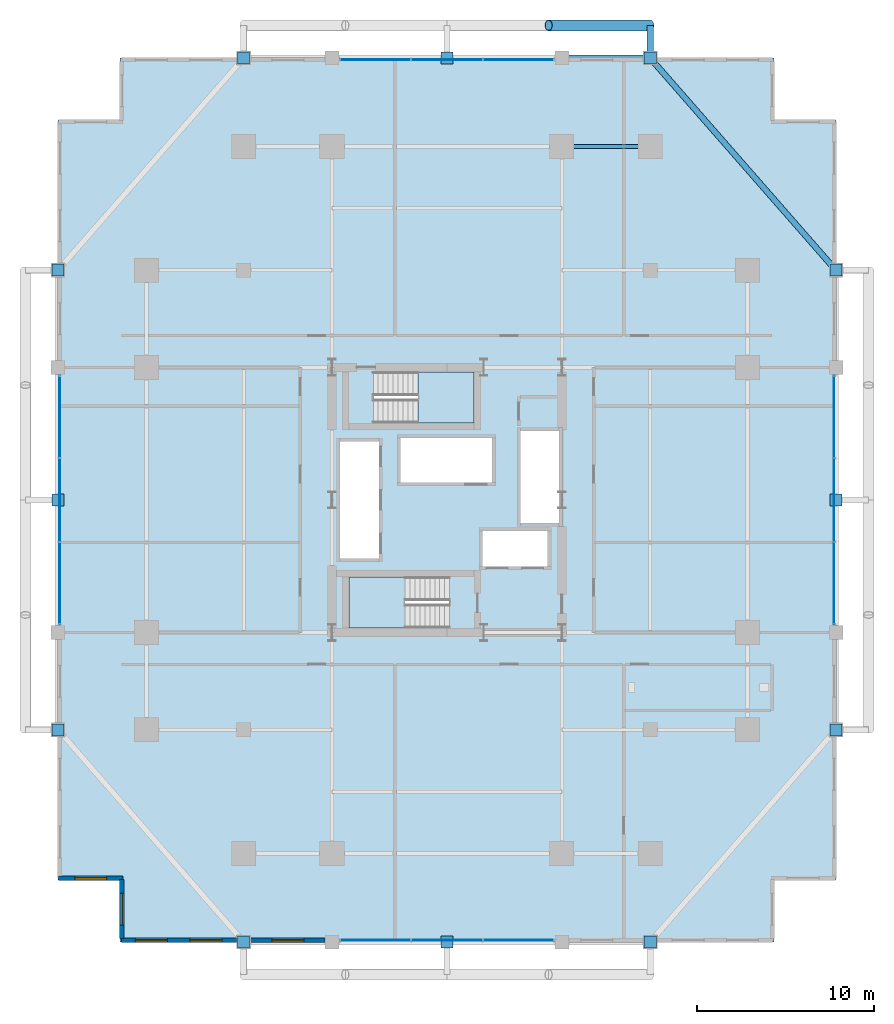
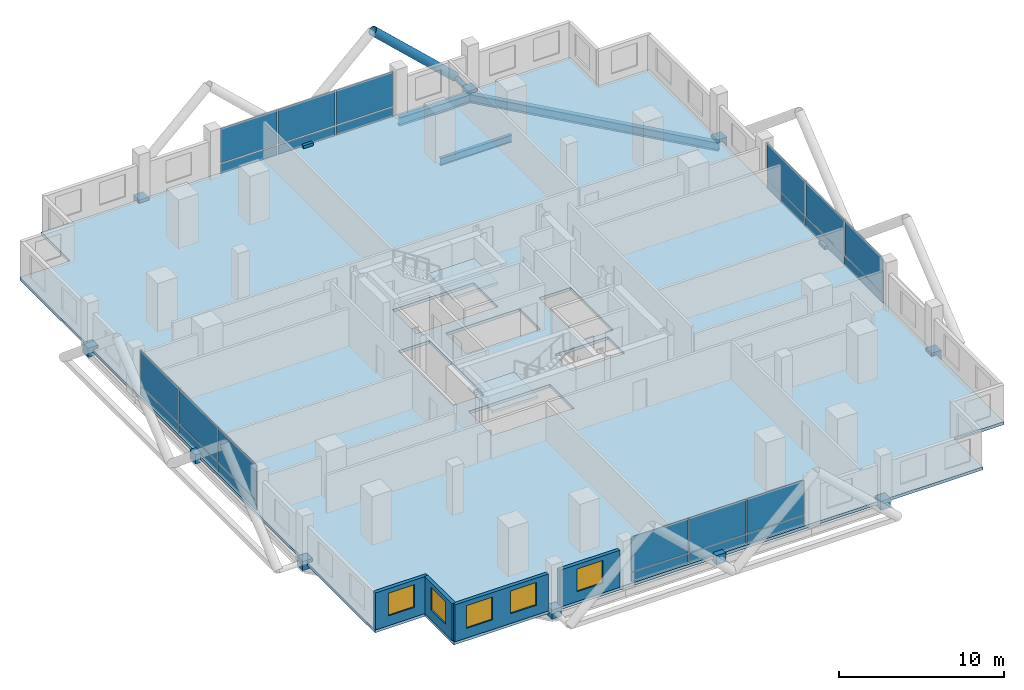
# One storey, part 20 of 26: 36 plates, 5 windows, 4 walls, 3 beams, 3 slabs, 2 members, 5 openings, 6 elements without a shape of their own.
"""IFC4 building model written with IfcOpenShell, lengths in metres."""

from ifc_helpers import new_model, si_unit, direction, frame, frame_2d, origin, origin_2d, place, context, subcontext, project, spatial, polyline, rectangle, hollow_circle, i_section, outline, extrude, material, layer, layer_set, material_profile, profile_set, type_object, element, fill, aggregate, save


model = new_model("IFC4")

# Units and contexts
model_context = context("Model", 3, precision=1e-05, world=origin(), true_north=direction((0.0, 1.0)))
body_context = subcontext(model_context, "Body", "Model", "MODEL_VIEW")
ifc_project = project(units=[si_unit("LENGTHUNIT", "METRE"), si_unit("AREAUNIT", "SQUARE_METRE"), si_unit("VOLUMEUNIT", "CUBIC_METRE"), si_unit("PLANEANGLEUNIT", "RADIAN"), si_unit("MASSUNIT", "GRAM", prefix="KILO")], contexts=[model_context])

# Site, building, storey
site_placement = place(None, origin())
site = spatial("IfcSite", under=ifc_project, at=site_placement, CompositionType="ELEMENT")
building_placement = place(site_placement, origin())
building = spatial("IfcBuilding", under=site, at=building_placement, Name="Barlavira Tower and Art Museum", CompositionType="ELEMENT")
storey_placement = place(building_placement, frame((0.0, 0.0, 82.800048828125)))
storey = spatial("IfcBuildingStorey", under=building, at=storey_placement, Name="L20", CompositionType="ELEMENT", Elevation=82.800048828125)

# Members
ifc_material_1 = material(Name="Steel S355", Category="steel")
ifc_material_profile_1 = material_profile(ifc_material_1, hollow_circle(Radius=0.304931640625, WallThickness=0.028076171875, at=origin_2d()), Name="CHS 610.0x28.0")
ifc_profile_set_1 = profile_set([ifc_material_profile_1], Name="Steel S355")
member_type_1 = type_object("IfcMemberType", Name="Pale-Metal Exoskeleton Diagrid Tube CHS 610x28 Steel S355", PredefinedType="BRACE", material=ifc_profile_set_1)
member_1_placement = place(storey_placement, frame((11.5, 26.85009765625, -0.1201171875), z_axis=(-0.728934650808, 0.0, 0.684583285548), x_axis=(0.0, -1.0, 0.0)))
element("IfcMember", 1, at=member_1_placement, inside=storey, type_object=member_type_1, Name="L20 Exoskeleton Diagrid Tube N", PredefinedType="BRACE", context=body_context, shape_type="SweptSolid", body=[
    extrude(hollow_circle(Radius=0.304931640625, WallThickness=0.028076171875, at=origin_2d()), origin(), (0.0, 0.0, 1.0), 7.88818359375),
])
ifc_material_profile_2 = material_profile(ifc_material_1, hollow_circle(Radius=0.177734375, WallThickness=0.01611328125, at=origin_2d()), Name="CHS 355.6x16.0")
ifc_profile_set_2 = profile_set([ifc_material_profile_2], Name="Steel S355")
member_type_2 = type_object("IfcMemberType", Name="Pale-Metal Exoskeleton Tie Strut CHS 356x16 Steel S355", PredefinedType="STRUT", material=ifc_profile_set_2)
member_2_placement = place(storey_placement, frame((11.5, 26.85009765625, -0.1201171875), z_axis=(0.0, -1.0, 0.0), x_axis=(1.0, 0.0, 0.0)))
element("IfcMember", 2, at=member_2_placement, inside=storey, type_object=member_type_2, Name="L20 Exoskeleton Tie Strut N3", PredefinedType="STRUT", context=body_context, shape_type="SweptSolid", body=[
    extrude(hollow_circle(Radius=0.177734375, WallThickness=0.01611328125, at=origin_2d()), origin(), (0.0, 0.0, 1.0), 1.85009765625),
])

# Beams
ifc_material_profile_3 = material_profile(ifc_material_1, i_section(OverallWidth=0.327880859375, OverallDepth=0.62890625, WebThickness=0.013916015625, FlangeThickness=0.021484375, at=origin_2d()), Name="W610x174.0")
ifc_profile_set_3 = profile_set([ifc_material_profile_3], Name="Steel S355")
beam_type_1 = type_object("IfcBeamType", Name="Perimeter Spandrel Edge Beam W610x174 Steel S355", PredefinedType="SPANDREL", material=ifc_profile_set_3)
beam_1_placement = place(storey_placement, frame((22.0, 13.0, -0.53466796875), z_axis=(-0.658504607869, 0.752576694707, 0.0), x_axis=(-0.752576694707, -0.658504607869, 0.0)))
element("IfcBeam", 3, at=beam_1_placement, inside=storey, type_object=beam_type_1, Name="L20 Spandrel 8", PredefinedType="SPANDREL", context=body_context, shape_type="SweptSolid", body=[
    extrude(i_section(OverallWidth=0.327880859375, OverallDepth=0.62890625, WebThickness=0.013916015625, FlangeThickness=0.021484375, at=origin_2d()), origin(), (0.0, 0.0, 1.0), 15.9453125),
])
beam_2_placement = place(storey_placement, frame((6.5, 25.0, -0.53466796875), z_axis=(1.0, 0.0, 0.0), x_axis=(0.0, 1.0, 0.0)))
element("IfcBeam", 4, at=beam_2_placement, inside=storey, type_object=beam_type_1, Name="L20 Spandrel 9", PredefinedType="SPANDREL", context=body_context, shape_type="SweptSolid", body=[
    extrude(i_section(OverallWidth=0.327880859375, OverallDepth=0.62890625, WebThickness=0.013916015625, FlangeThickness=0.021484375, at=origin_2d()), origin(), (0.0, 0.0, 1.0), 5.0),
])
ifc_material_profile_4 = material_profile(ifc_material_1, i_section(OverallWidth=0.214111328125, OverallDepth=0.549072265625, WebThickness=0.0146484375, FlangeThickness=0.023681640625, at=origin_2d()), Name="W530x138.0")
ifc_profile_set_4 = profile_set([ifc_material_profile_4], Name="Steel S355")
beam_type_2 = type_object("IfcBeamType", Name="Zone 1 Primary Floor Girder W530x138 Steel S355", PredefinedType="BEAM", material=ifc_profile_set_4)
beam_3_placement = place(storey_placement, frame((6.5, 20.0, -0.49462890625), z_axis=(1.0, 0.0, 0.0), x_axis=(0.0, 1.0, 0.0)))
element("IfcBeam", 5, at=beam_3_placement, inside=storey, type_object=beam_type_2, Name="L20 Girder M-N3", PredefinedType="BEAM", context=body_context, shape_type="SweptSolid", body=[
    extrude(i_section(OverallWidth=0.214111328125, OverallDepth=0.549072265625, WebThickness=0.0146484375, FlangeThickness=0.023681640625, at=origin_2d()), origin(), (0.0, 0.0, 1.0), 5.0),
])

# Curtain wall, plates
ifc_material_2 = material(Name="Low-iron coastal laminated glass", Category="glass")
ifc_layer_1 = layer(ifc_material_2, 0.179931640625, Name="Low-iron coastal laminated glass")
ifc_layer_set_1 = layer_set([ifc_layer_1], Name="Low-iron coastal laminated glass")
curtain_wall_type = type_object("IfcCurtainWallType", Name="Pale-Metal Unitised Curtain Wall Zone 1", PredefinedType="NOTDEFINED", material=ifc_layer_set_1)
curtain_wall_1_placement = place(storey_placement, origin())
curtain_wall_1 = element("IfcCurtainWall", 6, at=curtain_wall_1_placement, inside=storey, type_object=curtain_wall_type, Name="L20 Curtain Wall CW1-L20-S-B3", PredefinedType="NOTDEFINED")
ifc_material_3 = material(Name="Pale anodised aluminium", Category="aluminium")
ifc_layer_2 = layer(ifc_material_3, 0.044921875, Name="Pale anodised aluminium")
ifc_layer_set_2 = layer_set([ifc_layer_2], Name="Pale anodised aluminium")
plate_type_1 = type_object("IfcPlateType", Name="Curtain Wall Pale-Metal Spandrel Panel 45", PredefinedType="CURTAIN_PANEL", material=ifc_layer_set_2)
plate_1_placement = place(storey_placement, frame((-4.05322265625, -24.89990234375, 0.0400390625), z_axis=(0.0, 0.0, 1.0), x_axis=(1.0, 0.0, 0.0)))
plate_1 = element("IfcPlate", 7, at=plate_1_placement, type_object=plate_type_1, Name="CW1-L20-S-B3 Spandrel Panel 0", PredefinedType="CURTAIN_PANEL", context=body_context, shape_type="SweptSolid", body=[
    extrude(rectangle(XDim=3.953369140625, YDim=0.044921875, at=origin_2d()), origin(), (0.0, 0.0, 1.0), 0.6640625),
])
plate_2_placement = place(storey_placement, frame((0.0, -24.89990234375, 0.0400390625), z_axis=(0.0, 0.0, 1.0), x_axis=(1.0, 0.0, 0.0)))
plate_2 = element("IfcPlate", 8, at=plate_2_placement, type_object=plate_type_1, Name="CW1-L20-S-B3 Spandrel Panel 1", PredefinedType="CURTAIN_PANEL", context=body_context, shape_type="SweptSolid", body=[
    extrude(rectangle(XDim=3.953369140625, YDim=0.044921875, at=origin_2d()), origin(), (0.0, 0.0, 1.0), 0.6640625),
])
plate_3_placement = place(storey_placement, frame((4.05322265625, -24.89990234375, 0.0400390625), z_axis=(0.0, 0.0, 1.0), x_axis=(1.0, 0.0, 0.0)))
plate_3 = element("IfcPlate", 9, at=plate_3_placement, type_object=plate_type_1, Name="CW1-L20-S-B3 Spandrel Panel 2", PredefinedType="CURTAIN_PANEL", context=body_context, shape_type="SweptSolid", body=[
    extrude(rectangle(XDim=3.953369140625, YDim=0.044921875, at=origin_2d()), origin(), (0.0, 0.0, 1.0), 0.6640625),
])

curtain_wall_2_placement = place(storey_placement, origin())
curtain_wall_2 = element("IfcCurtainWall", 10, at=curtain_wall_2_placement, inside=storey, type_object=curtain_wall_type, Name="L20 Curtain Wall CW1-L20-N-B3", PredefinedType="NOTDEFINED")
plate_4_placement = place(storey_placement, frame((4.05322265625, 24.89990234375, 0.0400390625), z_axis=(0.0, 0.0, 1.0), x_axis=(-1.0, 0.0, 0.0)))
plate_4 = element("IfcPlate", 11, at=plate_4_placement, type_object=plate_type_1, Name="CW1-L20-N-B3 Spandrel Panel 0", PredefinedType="CURTAIN_PANEL", context=body_context, shape_type="SweptSolid", body=[
    extrude(rectangle(XDim=3.953369140625, YDim=0.044921875, at=origin_2d()), origin(), (0.0, 0.0, 1.0), 0.6640625),
])
plate_5_placement = place(storey_placement, frame((0.0, 24.89990234375, 0.0400390625), z_axis=(0.0, 0.0, 1.0), x_axis=(-1.0, 0.0, 0.0)))
plate_5 = element("IfcPlate", 12, at=plate_5_placement, type_object=plate_type_1, Name="CW1-L20-N-B3 Spandrel Panel 1", PredefinedType="CURTAIN_PANEL", context=body_context, shape_type="SweptSolid", body=[
    extrude(rectangle(XDim=3.953369140625, YDim=0.044921875, at=origin_2d()), origin(), (0.0, 0.0, 1.0), 0.6640625),
])
plate_6_placement = place(storey_placement, frame((-4.05322265625, 24.89990234375, 0.0400390625), z_axis=(0.0, 0.0, 1.0), x_axis=(-1.0, 0.0, 0.0)))
plate_6 = element("IfcPlate", 13, at=plate_6_placement, type_object=plate_type_1, Name="CW1-L20-N-B3 Spandrel Panel 2", PredefinedType="CURTAIN_PANEL", context=body_context, shape_type="SweptSolid", body=[
    extrude(rectangle(XDim=3.953369140625, YDim=0.044921875, at=origin_2d()), origin(), (0.0, 0.0, 1.0), 0.6640625),
])

curtain_wall_3_placement = place(storey_placement, origin())
curtain_wall_3 = element("IfcCurtainWall", 14, at=curtain_wall_3_placement, inside=storey, type_object=curtain_wall_type, Name="L20 Curtain Wall CW1-L20-W-B3", PredefinedType="NOTDEFINED")
plate_7_placement = place(storey_placement, frame((-21.89990234375, 4.719970703125, 0.0400390625), z_axis=(0.0, 0.0, 1.0), x_axis=(0.0, -1.0, 0.0)))
plate_7 = element("IfcPlate", 15, at=plate_7_placement, type_object=plate_type_1, Name="CW1-L20-W-B3 Spandrel Panel 0", PredefinedType="CURTAIN_PANEL", context=body_context, shape_type="SweptSolid", body=[
    extrude(rectangle(XDim=4.6201171875, YDim=0.044921875, at=origin_2d()), origin(), (0.0, 0.0, 1.0), 0.6640625),
])
plate_8_placement = place(storey_placement, frame((-21.89990234375, 0.0, 0.0400390625), z_axis=(0.0, 0.0, 1.0), x_axis=(0.0, -1.0, 0.0)))
plate_8 = element("IfcPlate", 16, at=plate_8_placement, type_object=plate_type_1, Name="CW1-L20-W-B3 Spandrel Panel 1", PredefinedType="CURTAIN_PANEL", context=body_context, shape_type="SweptSolid", body=[
    extrude(rectangle(XDim=4.6201171875, YDim=0.044921875, at=origin_2d()), origin(), (0.0, 0.0, 1.0), 0.6640625),
])
plate_9_placement = place(storey_placement, frame((-21.89990234375, -4.719970703125, 0.0400390625), z_axis=(0.0, 0.0, 1.0), x_axis=(0.0, -1.0, 0.0)))
plate_9 = element("IfcPlate", 17, at=plate_9_placement, type_object=plate_type_1, Name="CW1-L20-W-B3 Spandrel Panel 2", PredefinedType="CURTAIN_PANEL", context=body_context, shape_type="SweptSolid", body=[
    extrude(rectangle(XDim=4.6201171875, YDim=0.044921875, at=origin_2d()), origin(), (0.0, 0.0, 1.0), 0.6640625),
])

curtain_wall_4_placement = place(storey_placement, origin())
curtain_wall_4 = element("IfcCurtainWall", 18, at=curtain_wall_4_placement, inside=storey, type_object=curtain_wall_type, Name="L20 Curtain Wall CW1-L20-E-B3", PredefinedType="NOTDEFINED")
plate_10_placement = place(storey_placement, frame((21.89990234375, -4.719970703125, 0.0400390625), z_axis=(0.0, 0.0, 1.0), x_axis=(0.0, 1.0, 0.0)))
plate_10 = element("IfcPlate", 19, at=plate_10_placement, type_object=plate_type_1, Name="CW1-L20-E-B3 Spandrel Panel 0", PredefinedType="CURTAIN_PANEL", context=body_context, shape_type="SweptSolid", body=[
    extrude(rectangle(XDim=4.6201171875, YDim=0.044921875, at=origin_2d()), origin(), (0.0, 0.0, 1.0), 0.6640625),
])
plate_11_placement = place(storey_placement, frame((21.89990234375, 0.0, 0.0400390625), z_axis=(0.0, 0.0, 1.0), x_axis=(0.0, 1.0, 0.0)))
plate_11 = element("IfcPlate", 20, at=plate_11_placement, type_object=plate_type_1, Name="CW1-L20-E-B3 Spandrel Panel 1", PredefinedType="CURTAIN_PANEL", context=body_context, shape_type="SweptSolid", body=[
    extrude(rectangle(XDim=4.6201171875, YDim=0.044921875, at=origin_2d()), origin(), (0.0, 0.0, 1.0), 0.6640625),
])
plate_12_placement = place(storey_placement, frame((21.89990234375, 4.719970703125, 0.0400390625), z_axis=(0.0, 0.0, 1.0), x_axis=(0.0, 1.0, 0.0)))
plate_12 = element("IfcPlate", 21, at=plate_12_placement, type_object=plate_type_1, Name="CW1-L20-E-B3 Spandrel Panel 2", PredefinedType="CURTAIN_PANEL", context=body_context, shape_type="SweptSolid", body=[
    extrude(rectangle(XDim=4.6201171875, YDim=0.044921875, at=origin_2d()), origin(), (0.0, 0.0, 1.0), 0.6640625),
])

# Plate
ifc_layer_3 = layer(ifc_material_2, 0.028076171875, Name="Low-iron coastal laminated glass")
ifc_layer_set_3 = layer_set([ifc_layer_3], Name="Low-iron coastal laminated glass")
plate_type_2 = type_object("IfcPlateType", Name="Curtain Wall Vision Glazing Panel 28", PredefinedType="CURTAIN_PANEL", material=ifc_layer_set_3)
plate_13_placement = place(storey_placement, frame((-4.05322265625, -24.89990234375, 0.7841796875), z_axis=(0.0, 0.0, 1.0), x_axis=(1.0, 0.0, 0.0)))
plate_13 = element("IfcPlate", 22, at=plate_13_placement, type_object=plate_type_2, Name="CW1-L20-S-B3 Vision Glass Panel 0", PredefinedType="CURTAIN_PANEL", context=body_context, shape_type="SweptSolid", body=[
    extrude(rectangle(XDim=3.953369140625, YDim=0.028076171875, at=origin_2d()), origin(), (0.0, 0.0, 1.0), 2.555908203125),
])

plate_14_placement = place(storey_placement, frame((0.0, -24.89990234375, 0.7841796875), z_axis=(0.0, 0.0, 1.0), x_axis=(1.0, 0.0, 0.0)))
plate_14 = element("IfcPlate", 23, at=plate_14_placement, type_object=plate_type_2, Name="CW1-L20-S-B3 Vision Glass Panel 1", PredefinedType="CURTAIN_PANEL", context=body_context, shape_type="SweptSolid", body=[
    extrude(rectangle(XDim=3.953369140625, YDim=0.028076171875, at=origin_2d()), origin(), (0.0, 0.0, 1.0), 2.555908203125),
])

plate_15_placement = place(storey_placement, frame((4.05322265625, -24.89990234375, 0.7841796875), z_axis=(0.0, 0.0, 1.0), x_axis=(1.0, 0.0, 0.0)))
plate_15 = element("IfcPlate", 24, at=plate_15_placement, type_object=plate_type_2, Name="CW1-L20-S-B3 Vision Glass Panel 2", PredefinedType="CURTAIN_PANEL", context=body_context, shape_type="SweptSolid", body=[
    extrude(rectangle(XDim=3.953369140625, YDim=0.028076171875, at=origin_2d()), origin(), (0.0, 0.0, 1.0), 2.555908203125),
])

aggregate(curtain_wall_1, [plate_1, plate_13, plate_2, plate_14, plate_3, plate_15])

plate_16_placement = place(storey_placement, frame((4.05322265625, 24.89990234375, 0.7841796875), z_axis=(0.0, 0.0, 1.0), x_axis=(-1.0, 0.0, 0.0)))
plate_16 = element("IfcPlate", 25, at=plate_16_placement, type_object=plate_type_2, Name="CW1-L20-N-B3 Vision Glass Panel 0", PredefinedType="CURTAIN_PANEL", context=body_context, shape_type="SweptSolid", body=[
    extrude(rectangle(XDim=3.953369140625, YDim=0.028076171875, at=origin_2d()), origin(), (0.0, 0.0, 1.0), 2.555908203125),
])

plate_17_placement = place(storey_placement, frame((0.0, 24.89990234375, 0.7841796875), z_axis=(0.0, 0.0, 1.0), x_axis=(-1.0, 0.0, 0.0)))
plate_17 = element("IfcPlate", 26, at=plate_17_placement, type_object=plate_type_2, Name="CW1-L20-N-B3 Vision Glass Panel 1", PredefinedType="CURTAIN_PANEL", context=body_context, shape_type="SweptSolid", body=[
    extrude(rectangle(XDim=3.953369140625, YDim=0.028076171875, at=origin_2d()), origin(), (0.0, 0.0, 1.0), 2.555908203125),
])

plate_18_placement = place(storey_placement, frame((-4.05322265625, 24.89990234375, 0.7841796875), z_axis=(0.0, 0.0, 1.0), x_axis=(-1.0, 0.0, 0.0)))
plate_18 = element("IfcPlate", 27, at=plate_18_placement, type_object=plate_type_2, Name="CW1-L20-N-B3 Vision Glass Panel 2", PredefinedType="CURTAIN_PANEL", context=body_context, shape_type="SweptSolid", body=[
    extrude(rectangle(XDim=3.953369140625, YDim=0.028076171875, at=origin_2d()), origin(), (0.0, 0.0, 1.0), 2.555908203125),
])

aggregate(curtain_wall_2, [plate_4, plate_16, plate_5, plate_17, plate_6, plate_18])

plate_19_placement = place(storey_placement, frame((-21.89990234375, 4.719970703125, 0.7841796875), z_axis=(0.0, 0.0, 1.0), x_axis=(0.0, -1.0, 0.0)))
plate_19 = element("IfcPlate", 28, at=plate_19_placement, type_object=plate_type_2, Name="CW1-L20-W-B3 Vision Glass Panel 0", PredefinedType="CURTAIN_PANEL", context=body_context, shape_type="SweptSolid", body=[
    extrude(rectangle(XDim=4.6201171875, YDim=0.028076171875, at=origin_2d()), origin(), (0.0, 0.0, 1.0), 2.555908203125),
])

plate_20_placement = place(storey_placement, frame((-21.89990234375, 0.0, 0.7841796875), z_axis=(0.0, 0.0, 1.0), x_axis=(0.0, -1.0, 0.0)))
plate_20 = element("IfcPlate", 29, at=plate_20_placement, type_object=plate_type_2, Name="CW1-L20-W-B3 Vision Glass Panel 1", PredefinedType="CURTAIN_PANEL", context=body_context, shape_type="SweptSolid", body=[
    extrude(rectangle(XDim=4.6201171875, YDim=0.028076171875, at=origin_2d()), origin(), (0.0, 0.0, 1.0), 2.555908203125),
])

plate_21_placement = place(storey_placement, frame((-21.89990234375, -4.719970703125, 0.7841796875), z_axis=(0.0, 0.0, 1.0), x_axis=(0.0, -1.0, 0.0)))
plate_21 = element("IfcPlate", 30, at=plate_21_placement, type_object=plate_type_2, Name="CW1-L20-W-B3 Vision Glass Panel 2", PredefinedType="CURTAIN_PANEL", context=body_context, shape_type="SweptSolid", body=[
    extrude(rectangle(XDim=4.6201171875, YDim=0.028076171875, at=origin_2d()), origin(), (0.0, 0.0, 1.0), 2.555908203125),
])

aggregate(curtain_wall_3, [plate_7, plate_19, plate_8, plate_20, plate_9, plate_21])

plate_22_placement = place(storey_placement, frame((21.89990234375, -4.719970703125, 0.7841796875), z_axis=(0.0, 0.0, 1.0), x_axis=(0.0, 1.0, 0.0)))
plate_22 = element("IfcPlate", 31, at=plate_22_placement, type_object=plate_type_2, Name="CW1-L20-E-B3 Vision Glass Panel 0", PredefinedType="CURTAIN_PANEL", context=body_context, shape_type="SweptSolid", body=[
    extrude(rectangle(XDim=4.6201171875, YDim=0.028076171875, at=origin_2d()), origin(), (0.0, 0.0, 1.0), 2.555908203125),
])

plate_23_placement = place(storey_placement, frame((21.89990234375, 0.0, 0.7841796875), z_axis=(0.0, 0.0, 1.0), x_axis=(0.0, 1.0, 0.0)))
plate_23 = element("IfcPlate", 32, at=plate_23_placement, type_object=plate_type_2, Name="CW1-L20-E-B3 Vision Glass Panel 1", PredefinedType="CURTAIN_PANEL", context=body_context, shape_type="SweptSolid", body=[
    extrude(rectangle(XDim=4.6201171875, YDim=0.028076171875, at=origin_2d()), origin(), (0.0, 0.0, 1.0), 2.555908203125),
])

plate_24_placement = place(storey_placement, frame((21.89990234375, 4.719970703125, 0.7841796875), z_axis=(0.0, 0.0, 1.0), x_axis=(0.0, 1.0, 0.0)))
plate_24 = element("IfcPlate", 33, at=plate_24_placement, type_object=plate_type_2, Name="CW1-L20-E-B3 Vision Glass Panel 2", PredefinedType="CURTAIN_PANEL", context=body_context, shape_type="SweptSolid", body=[
    extrude(rectangle(XDim=4.6201171875, YDim=0.028076171875, at=origin_2d()), origin(), (0.0, 0.0, 1.0), 2.555908203125),
])

aggregate(curtain_wall_4, [plate_10, plate_22, plate_11, plate_23, plate_12, plate_24])

# Plates
ifc_layer_4 = layer(ifc_material_1, 0.679931640625, Name="Steel S355")
ifc_layer_set_4 = layer_set([ifc_layer_4], Name="Steel S355")
plate_type_3 = type_object("IfcPlateType", Name="Exoskeleton Tie-Back Solid Cap Plate Assembly Type 5 Steel S355", PredefinedType="USERDEFINED", material=ifc_layer_set_4)
for number, where, z_axis, x_axis, name in (
    (34, (-11.5, -25.0, -0.4599609375), (0.0, 0.0, 1.0), (1.0, 0.0, 0.0), "Slab Edge Tie Cap Plate S1 ND-L20-0178"),
    (35, (0.0, -25.0, -0.4599609375), (0.0, 0.0, 1.0), (1.0, 0.0, 0.0), "Slab Edge Tie Cap Plate S2 ND-L20-0179"),
    (36, (11.5, -25.0, -0.4599609375), (0.0, 0.0, 1.0), (1.0, 0.0, 0.0), "Slab Edge Tie Cap Plate S3 ND-L20-0180"),
    (37, (-11.5, 25.0, -0.4599609375), (0.0, 0.0, 1.0), (1.0, 0.0, 0.0), "Slab Edge Tie Cap Plate N1 ND-L20-0186"),
    (38, (0.0, 25.0, -0.4599609375), (0.0, 0.0, 1.0), (1.0, 0.0, 0.0), "Slab Edge Tie Cap Plate N2 ND-L20-0187"),
    (39, (11.5, 25.0, -0.4599609375), (0.0, 0.0, 1.0), (1.0, 0.0, 0.0), "Slab Edge Tie Cap Plate N3 ND-L20-0188"),
    (40, (-22.0, -13.0, -0.4599609375), (0.0, 0.0, 1.0), (1.0, 0.0, 0.0), "Slab Edge Tie Cap Plate W1 ND-L20-0194"),
    (41, (-22.0, 0.0, -0.4599609375), (0.0, 0.0, 1.0), (1.0, 0.0, 0.0), "Slab Edge Tie Cap Plate W2 ND-L20-0195"),
    (42, (-22.0, 13.0, -0.4599609375), (0.0, 0.0, 1.0), (1.0, 0.0, 0.0), "Slab Edge Tie Cap Plate W3 ND-L20-0196"),
    (43, (22.0, -13.0, -0.4599609375), (0.0, 0.0, 1.0), (1.0, 0.0, 0.0), "Slab Edge Tie Cap Plate E1 ND-L20-0202"),
    (44, (22.0, 0.0, -0.4599609375), (0.0, 0.0, 1.0), (1.0, 0.0, 0.0), "Slab Edge Tie Cap Plate E2 ND-L20-0203"),
    (45, (22.0, 13.0, -0.4599609375), (0.0, 0.0, 1.0), (1.0, 0.0, 0.0), "Slab Edge Tie Cap Plate E3 ND-L20-0204"),
):
    element("IfcPlate", number, at=place(storey_placement, frame(where, z_axis=z_axis, x_axis=x_axis)), inside=storey, type_object=plate_type_3, Name=name, ObjectType="FLANGE_PLATE", PredefinedType="USERDEFINED", context=body_context, shape_type="SweptSolid", body=[
        extrude(rectangle(XDim=0.679931640625, YDim=0.679931640625, at=origin_2d()), origin(), (0.0, 0.0, 1.0), 0.679931640625),
    ])

# Stair, slab
ifc_material_4 = material(Name="Concrete C45", Category="concrete")
stair_type_1 = type_object("IfcStairType", Name="Tower North Dog-Leg Exit Stair Assembly Concrete C45", PredefinedType="TWO_QUARTER_TURN_STAIR", material=ifc_material_4)
stair_1_placement = place(storey_placement, origin())
stair_1 = element("IfcStair", 46, at=stair_1_placement, inside=storey, type_object=stair_type_1, Name="L20 Tower North Exit Stair ST-T2", PredefinedType="TWO_QUARTER_TURN_STAIR")
ifc_layer_5 = layer(ifc_material_4, 0.199951171875, Name="Concrete C45")
ifc_layer_set_5 = layer_set([ifc_layer_5], Name="Concrete C45")
slab_type_1 = type_object("IfcSlabType", Name="Tower North Dog-Leg Exit Stair Half-Landing Slab 200 Concrete C45", PredefinedType="LANDING", material=ifc_layer_set_5)
slab_1_placement = place(storey_placement, frame((0.0, 0.0, 1.599853515625)))
slab_1 = element("IfcSlab", 47, at=slab_1_placement, type_object=slab_type_1, Name="ST-T2 landing 1", PredefinedType="LANDING", context=body_context, shape_type="SweptSolid", body=[
    extrude(outline(polyline([(-1.64990234375, 4.35009765625), (1.530029296875, 4.35009765625), (1.530029296875, 7.25), (-1.64990234375, 7.25), (-1.64990234375, 4.35009765625)])), origin(), (0.0, 0.0, 1.0), 0.2001953125),
])
aggregate(stair_1, [slab_1])

stair_type_2 = type_object("IfcStairType", Name="Tower South Dog-Leg Exit Stair Assembly Concrete C45", PredefinedType="TWO_QUARTER_TURN_STAIR", material=ifc_material_4)
stair_2_placement = place(storey_placement, origin())
stair_2 = element("IfcStair", 48, at=stair_2_placement, inside=storey, type_object=stair_type_2, Name="L20 Tower South Exit Stair ST-T1", PredefinedType="TWO_QUARTER_TURN_STAIR")
ifc_layer_6 = layer(ifc_material_4, 0.199951171875, Name="Concrete C45")
ifc_layer_set_6 = layer_set([ifc_layer_6], Name="Concrete C45")
slab_type_2 = type_object("IfcSlabType", Name="Tower South Dog-Leg Exit Stair Half-Landing Slab 200 Concrete C45", PredefinedType="LANDING", material=ifc_layer_set_6)
slab_2_placement = place(storey_placement, frame((0.0, 0.0, 1.599853515625)))
slab_2 = element("IfcSlab", 49, at=slab_2_placement, type_object=slab_type_2, Name="ST-T1 landing 1", PredefinedType="LANDING", context=body_context, shape_type="SweptSolid", body=[
    extrude(outline(polyline([(-2.3701171875, -4.35009765625), (-5.550048828125, -4.35009765625), (-5.550048828125, -7.25), (-2.3701171875, -7.25), (-2.3701171875, -4.35009765625)])), origin(), (0.0, 0.0, 1.0), 0.2001953125),
])
aggregate(stair_2, [slab_2])

# Slab
ifc_material_5 = material(Name="Concrete C50", Category="concrete")
ifc_layer_7 = layer(ifc_material_5, 0.219970703125, Name="Concrete C50")
ifc_layer_set_7 = layer_set([ifc_layer_7], Name="Concrete C50")
slab_type_3 = type_object("IfcSlabType", Name="Zone 1 Residential Composite Slab 220 Concrete C50", PredefinedType="FLOOR", material=ifc_layer_set_7)
slab_3_placement = place(storey_placement, frame((0.0, 0.0, -0.219970703125)))
element("IfcSlab", 50, at=slab_3_placement, inside=storey, type_object=slab_type_3, Name="L20 Tower Floor Slab", PredefinedType="FLOOR", context=body_context, shape_type="SweptSolid", body=[
    extrude(outline(polyline([(-18.5, -25.0), (18.5, -25.0), (18.5, -21.5), (22.0, -21.5), (22.0, 21.5), (18.5, 21.5), (18.5, 25.0), (-18.5, 25.0), (-18.5, 21.5), (-22.0, 21.5), (-22.0, -21.5), (-18.5, -21.5), (-18.5, -25.0)]), holes=[polyline([(0.14990234375, -4.35009765625), (-5.550048828125, -4.35009765625), (-5.550048828125, -7.25), (0.14990234375, -7.25), (0.14990234375, -4.35009765625)]), polyline([(-4.169921875, 4.35009765625), (1.530029296875, 4.35009765625), (1.530029296875, 7.25), (-4.169921875, 7.25), (-4.169921875, 4.35009765625)]), polyline([(-6.050048828125, -3.31005859375), (-3.85009765625, -3.31005859375), (-3.85009765625, 3.31005859375), (-6.050048828125, 3.31005859375), (-6.050048828125, -3.31005859375)]), polyline([(4.14990234375, -1.2900390625), (6.35009765625, -1.2900390625), (6.35009765625, 3.889892578125), (4.14990234375, 3.889892578125), (4.14990234375, -1.2900390625)]), polyline([(-2.6201171875, 1.0), (2.56005859375, 1.0), (2.56005859375, 3.5), (-2.6201171875, 3.5), (-2.6201171875, 1.0)]), polyline([(2.0, -3.75), (5.699951171875, -3.75), (5.699951171875, -1.75), (2.0, -1.75), (2.0, -3.75)])]), origin(), (0.0, 0.0, 1.0), 0.219970703125),
])

# Wall, openings, windows
ifc_material_6 = material(Name="Precast concrete C40", Category="concrete")
ifc_layer_8 = layer(ifc_material_6, 0.25, Name="Precast concrete C40")
ifc_layer_set_8 = layer_set([ifc_layer_8], Name="Precast concrete C40")
wall_type = type_object("IfcWallType", Name="Notched Corner Spandrel Wall 250 Precast Concrete C40", PredefinedType="SOLIDWALL", material=ifc_layer_set_8)
wall_1_placement = place(storey_placement, frame((-18.425048828125, -24.89990234375, 0.0), z_axis=(0.0, 0.0, 1.0), x_axis=(1.0, 0.0, 0.0)))
wall_1 = element("IfcWall", 51, at=wall_1_placement, inside=storey, type_object=wall_type, Name="L20 Coastal Facade Pier Wall CW1-L20-S-1", PredefinedType="SOLIDWALL", context=body_context, shape_type="SweptSolid", body=[
    extrude(rectangle(XDim=6.530029296875, YDim=0.25, at=frame_2d((3.26513671875, 0.0))), origin(), (0.0, 0.0, 1.0), 2.73583984375),
])
opening_1_placement = place(wall_1_placement, frame((0.801025390625, 0.0, 0.719970703125)))
opening_1 = element("IfcOpeningElement", 52, at=opening_1_placement, cuts=wall_1, Name="Opening WN-01", PredefinedType="OPENING", context=body_context, shape_type="SweptSolid", body=[
    extrude(rectangle(XDim=1.800048828125, YDim=1.679931640625, at=frame_2d((0.89990234375, 0.83984375))), frame((0.0, 0.135009765625, 0.0), z_axis=(0.0, -1.0, 0.0), x_axis=(1.0, 0.0, 0.0)), (0.0, 0.0, 1.0), 0.27001953125),
])
opening_2_placement = place(wall_1_placement, frame((3.884033203125, 0.0, 0.719970703125)))
opening_2 = element("IfcOpeningElement", 53, at=opening_2_placement, cuts=wall_1, Name="Opening WN-01", PredefinedType="OPENING", context=body_context, shape_type="SweptSolid", body=[
    extrude(rectangle(XDim=1.800048828125, YDim=1.679931640625, at=frame_2d((0.89990234375, 0.83984375))), frame((0.0, 0.135009765625, 0.0), z_axis=(0.0, -1.0, 0.0), x_axis=(1.0, 0.0, 0.0)), (0.0, 0.0, 1.0), 0.27001953125),
])
window_type = type_object("IfcWindowType", Name="Recessed Notch Corner Punch Window 1800x1680", PartitioningType="SINGLE_PANEL", PredefinedType="WINDOW", material=ifc_material_2)
window_1_placement = place(opening_1_placement, origin())
window_1 = element("IfcWindow", 54, at=window_1_placement, inside=storey, type_object=window_type, Name="L20 Punched Facade Window EWP-CW1-L20-S-1-1", OverallHeight=1.679931640625, OverallWidth=1.800048828125, PartitioningType="SINGLE_PANEL", PredefinedType="WINDOW", context=body_context, shape_type="SweptSolid", body=[
    extrude(rectangle(XDim=1.800048828125, YDim=1.679931640625, at=frame_2d((0.89990234375, 0.83984375))), frame((0.0, 0.030029296875, 0.0), z_axis=(0.0, -1.0, 0.0), x_axis=(1.0, 0.0, 0.0)), (0.0, 0.0, 1.0), 0.06005859375),
])
fill(opening_1, window_1)
window_2_placement = place(opening_2_placement, origin())
window_2 = element("IfcWindow", 55, at=window_2_placement, inside=storey, type_object=window_type, Name="L20 Punched Facade Window EWP-CW1-L20-S-1-2", OverallHeight=1.679931640625, OverallWidth=1.800048828125, PartitioningType="SINGLE_PANEL", PredefinedType="WINDOW", context=body_context, shape_type="SweptSolid", body=[
    extrude(rectangle(XDim=1.800048828125, YDim=1.679931640625, at=frame_2d((0.89990234375, 0.83984375))), frame((0.0, 0.030029296875, 0.0), z_axis=(0.0, -1.0, 0.0), x_axis=(1.0, 0.0, 0.0)), (0.0, 0.0, 1.0), 0.06005859375),
])
fill(opening_2, window_2)

# Wall, opening, window
wall_2_placement = place(storey_placement, frame((-11.10498046875, -24.89990234375, 0.0), z_axis=(0.0, 0.0, 1.0), x_axis=(1.0, 0.0, 0.0)))
wall_2 = element("IfcWall", 56, at=wall_2_placement, inside=storey, type_object=wall_type, Name="L20 Coastal Facade Pier Wall CW1-L20-S-2", PredefinedType="SOLIDWALL", context=body_context, shape_type="SweptSolid", body=[
    extrude(rectangle(XDim=4.2099609375, YDim=0.25, at=frame_2d((2.10498046875, 0.0))), origin(), (0.0, 0.0, 1.0), 2.73583984375),
])
opening_3_placement = place(wall_2_placement, frame((1.205078125, 0.0, 0.719970703125)))
opening_3 = element("IfcOpeningElement", 57, at=opening_3_placement, cuts=wall_2, Name="Opening WN-01", PredefinedType="OPENING", context=body_context, shape_type="SweptSolid", body=[
    extrude(rectangle(XDim=1.800048828125, YDim=1.679931640625, at=frame_2d((0.89990234375, 0.83984375))), frame((0.0, 0.135009765625, 0.0), z_axis=(0.0, -1.0, 0.0), x_axis=(1.0, 0.0, 0.0)), (0.0, 0.0, 1.0), 0.27001953125),
])
window_3_placement = place(opening_3_placement, origin())
window_3 = element("IfcWindow", 58, at=window_3_placement, inside=storey, type_object=window_type, Name="L20 Punched Facade Window EWP-CW1-L20-S-2-1", OverallHeight=1.679931640625, OverallWidth=1.800048828125, PartitioningType="SINGLE_PANEL", PredefinedType="WINDOW", context=body_context, shape_type="SweptSolid", body=[
    extrude(rectangle(XDim=1.800048828125, YDim=1.679931640625, at=frame_2d((0.89990234375, 0.83984375))), frame((0.0, 0.030029296875, 0.0), z_axis=(0.0, -1.0, 0.0), x_axis=(1.0, 0.0, 0.0)), (0.0, 0.0, 1.0), 0.06005859375),
])
fill(opening_3, window_3)

wall_3_placement = place(storey_placement, frame((-21.97998046875, -21.39990234375, 0.0), z_axis=(0.0, 0.0, 1.0), x_axis=(1.0, 0.0, 0.0)))
wall_3 = element("IfcWall", 59, at=wall_3_placement, inside=storey, type_object=wall_type, Name="L20 Notch Corner Wall SW1", PredefinedType="SOLIDWALL", context=body_context, shape_type="SweptSolid", body=[
    extrude(rectangle(XDim=3.659912109375, YDim=0.25, at=frame_2d((1.830078125, 0.0))), origin(), (0.0, 0.0, 1.0), 2.73583984375),
])
opening_4_placement = place(wall_3_placement, frame((0.929931640625, 0.0, 0.719970703125)))
opening_4 = element("IfcOpeningElement", 60, at=opening_4_placement, cuts=wall_3, Name="Opening WN-01", PredefinedType="OPENING", context=body_context, shape_type="SweptSolid", body=[
    extrude(rectangle(XDim=1.800048828125, YDim=1.679931640625, at=frame_2d((0.89990234375, 0.83984375))), frame((0.0, 0.135009765625, 0.0), z_axis=(0.0, -1.0, 0.0), x_axis=(1.0, 0.0, 0.0)), (0.0, 0.0, 1.0), 0.27001953125),
])
window_4_placement = place(opening_4_placement, origin())
window_4 = element("IfcWindow", 61, at=window_4_placement, inside=storey, type_object=window_type, Name="L20 Punched Facade Window EW-NTC-L20-SW1-1", OverallHeight=1.679931640625, OverallWidth=1.800048828125, PartitioningType="SINGLE_PANEL", PredefinedType="WINDOW", context=body_context, shape_type="SweptSolid", body=[
    extrude(rectangle(XDim=1.800048828125, YDim=1.679931640625, at=frame_2d((0.89990234375, 0.83984375))), frame((0.0, 0.030029296875, 0.0), z_axis=(0.0, -1.0, 0.0), x_axis=(1.0, 0.0, 0.0)), (0.0, 0.0, 1.0), 0.06005859375),
])
fill(opening_4, window_4)

wall_4_placement = place(storey_placement, frame((-18.39990234375, -21.47998046875, 0.0), z_axis=(0.0, 0.0, 1.0), x_axis=(0.0, -1.0, 0.0)))
wall_4 = element("IfcWall", 62, at=wall_4_placement, inside=storey, type_object=wall_type, Name="L20 Notch Corner Wall SW2", PredefinedType="SOLIDWALL", context=body_context, shape_type="SweptSolid", body=[
    extrude(rectangle(XDim=3.340087890625, YDim=0.25, at=frame_2d((1.669921875, 0.0))), origin(), (0.0, 0.0, 1.0), 2.73583984375),
])
opening_5_placement = place(wall_4_placement, frame((0.77001953125, 0.0, 0.719970703125)))
opening_5 = element("IfcOpeningElement", 63, at=opening_5_placement, cuts=wall_4, Name="Opening WN-01", PredefinedType="OPENING", context=body_context, shape_type="SweptSolid", body=[
    extrude(rectangle(XDim=1.800048828125, YDim=1.679931640625, at=frame_2d((0.89990234375, 0.83984375))), frame((0.0, 0.135009765625, 0.0), z_axis=(0.0, -1.0, 0.0), x_axis=(1.0, 0.0, 0.0)), (0.0, 0.0, 1.0), 0.27001953125),
])
window_5_placement = place(opening_5_placement, origin())
window_5 = element("IfcWindow", 64, at=window_5_placement, inside=storey, type_object=window_type, Name="L20 Punched Facade Window EW-NTC-L20-SW2-1", OverallHeight=1.679931640625, OverallWidth=1.800048828125, PartitioningType="SINGLE_PANEL", PredefinedType="WINDOW", context=body_context, shape_type="SweptSolid", body=[
    extrude(rectangle(XDim=1.800048828125, YDim=1.679931640625, at=frame_2d((0.89990234375, 0.83984375))), frame((0.0, 0.030029296875, 0.0), z_axis=(0.0, -1.0, 0.0), x_axis=(1.0, 0.0, 0.0)), (0.0, 0.0, 1.0), 0.06005859375),
])
fill(opening_5, window_5)

save(model, "model.ifc")
